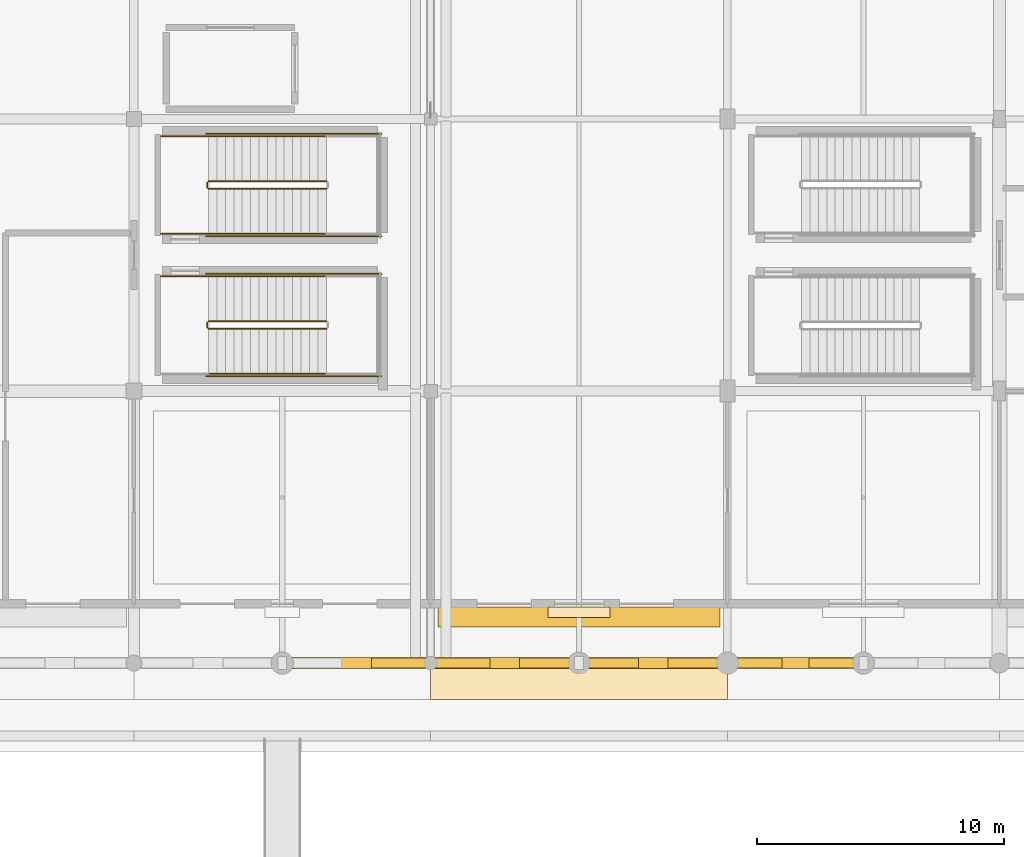
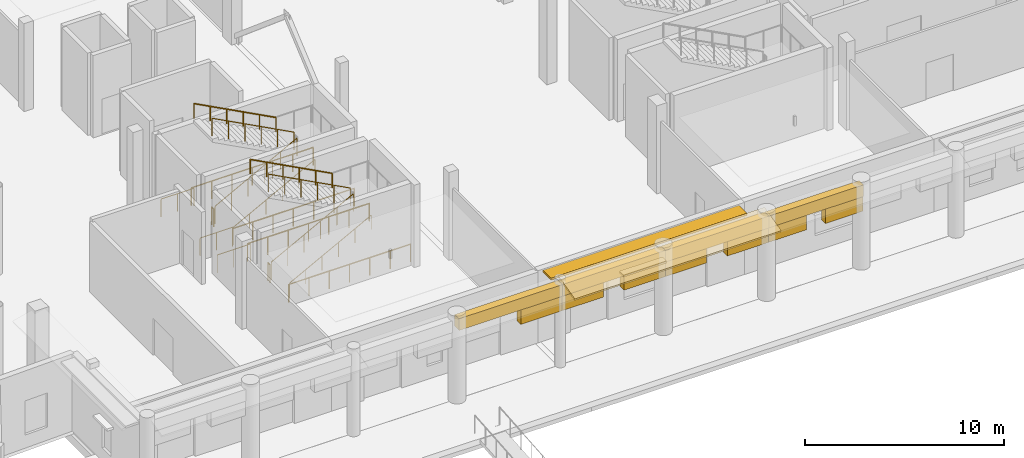
# One storey, part 109 of 120: 17 railings, 13 coverings, 1 shading device.
"""IFC4 building model written with IfcOpenShell, lengths in metres."""

from ifc_helpers import new_model, si_unit, direction, frame, origin, origin_2d, place, context, subcontext, project, spatial, polyline, rectangle, circle, outline, extrude, material, layer, layer_set, type_object, element, save


model = new_model("IFC4")

# Units and contexts
model_context = context("Model", 3, precision=1e-05, world=origin(), true_north=direction((0.0, 1.0)))
body_context = subcontext(model_context, "Body", "Model", "MODEL_VIEW")
ifc_project = project(units=[si_unit("LENGTHUNIT", "METRE"), si_unit("AREAUNIT", "SQUARE_METRE"), si_unit("VOLUMEUNIT", "CUBIC_METRE"), si_unit("PLANEANGLEUNIT", "RADIAN"), si_unit("MASSUNIT", "GRAM", prefix="KILO")], contexts=[model_context])

# Site, building, storey
site_placement = place(None, origin())
site = spatial("IfcSite", under=ifc_project, at=site_placement, CompositionType="ELEMENT")
building_placement = place(site_placement, origin())
building = spatial("IfcBuilding", under=site, at=building_placement, Name="Luwafu Chhajja Arena", CompositionType="ELEMENT")
storey_placement = place(building_placement, origin())
storey = spatial("IfcBuildingStorey", under=building, at=storey_placement, Name="L00", CompositionType="ELEMENT", Elevation=0.0)

# Coverings
ifc_material_1 = material(Name="Red laterite sandstone cladding", Category="masonry")
ifc_layer_1 = layer(ifc_material_1, 0.074951171875, Name="Red laterite sandstone cladding")
ifc_layer_set_1 = layer_set([ifc_layer_1], Name="Red laterite sandstone cladding")
covering_type = type_object("IfcCoveringType", Name="Dressed Red-Laterite Sandstone Cladding", PredefinedType="CLADDING", material=ifc_layer_set_1)
covering_1_placement = place(storey_placement, frame((161.0, 0.0, 4.33984375), z_axis=(0.0, 0.0, 1.0), x_axis=(1.0, 0.0, 0.0)))
element("IfcCovering", 1, at=covering_1_placement, inside=storey, type_object=covering_type, Name="L00 Mughal Riwaq Arcade Arch Frieze SLW-08", PredefinedType="CLADDING", context=body_context, shape_type="SweptSolid", body=[
    extrude(rectangle(XDim=6.0, YDim=0.43994140625, at=origin_2d()), origin(), (0.0, 0.0, 1.0), 0.719970703125),
])
covering_2_placement = place(storey_placement, frame((162.800048828125, 0.0, 3.43994140625), z_axis=(0.0, 0.0, 1.0), x_axis=(1.0, 0.0, 0.0)))
element("IfcCovering", 2, at=covering_2_placement, inside=storey, type_object=covering_type, Name="L00 Mughal Riwaq Corbelled Arch Haunch SLW-08B", PredefinedType="CLADDING", context=body_context, shape_type="SweptSolid", body=[
    extrude(rectangle(XDim=2.39990234375, YDim=0.39990234375, at=origin_2d()), origin(), (0.0, 0.0, 1.0), 0.9599609375),
])
covering_3_placement = place(storey_placement, frame((167.0, 0.0, 4.33984375), z_axis=(0.0, 0.0, 1.0), x_axis=(1.0, 0.0, 0.0)))
element("IfcCovering", 3, at=covering_3_placement, inside=storey, type_object=covering_type, Name="L00 Mughal Riwaq Arcade Arch Frieze SLW-09", PredefinedType="CLADDING", context=body_context, shape_type="SweptSolid", body=[
    extrude(rectangle(XDim=6.0, YDim=0.43994140625, at=origin_2d()), origin(), (0.0, 0.0, 1.0), 0.719970703125),
])
for number, where, z_axis, x_axis, name in (
    (4, (165.199951171875, 0.0, 3.43994140625), (0.0, 0.0, 1.0), (1.0, 0.0, 0.0), "L00 Mughal Riwaq Corbelled Arch Haunch SLW-09A"),
    (5, (168.800048828125, 0.0, 3.43994140625), (0.0, 0.0, 1.0), (1.0, 0.0, 0.0), "L00 Mughal Riwaq Corbelled Arch Haunch SLW-09B"),
):
    element("IfcCovering", number, at=place(storey_placement, frame(where, z_axis=z_axis, x_axis=x_axis)), inside=storey, type_object=covering_type, Name=name, PredefinedType="CLADDING", context=body_context, shape_type="SweptSolid", body=[
        extrude(rectangle(XDim=2.39990234375, YDim=0.39990234375, at=origin_2d()), origin(), (0.0, 0.0, 1.0), 0.9599609375),
    ])
covering_4_placement = place(storey_placement, frame((173.0, 0.0, 4.33984375), z_axis=(0.0, 0.0, 1.0), x_axis=(1.0, 0.0, 0.0)))
element("IfcCovering", 6, at=covering_4_placement, inside=storey, type_object=covering_type, Name="L00 Mughal Riwaq Arcade Arch Frieze SLW-10", PredefinedType="CLADDING", context=body_context, shape_type="SweptSolid", body=[
    extrude(rectangle(XDim=6.0, YDim=0.43994140625, at=origin_2d()), origin(), (0.0, 0.0, 1.0), 0.719970703125),
])
for number, where, z_axis, x_axis, name in (
    (7, (171.199951171875, 0.0, 3.43994140625), (0.0, 0.0, 1.0), (1.0, 0.0, 0.0), "L00 Mughal Riwaq Corbelled Arch Haunch SLW-10A"),
    (8, (174.800048828125, 0.0, 3.43994140625), (0.0, 0.0, 1.0), (1.0, 0.0, 0.0), "L00 Mughal Riwaq Corbelled Arch Haunch SLW-10B"),
):
    element("IfcCovering", number, at=place(storey_placement, frame(where, z_axis=z_axis, x_axis=x_axis)), inside=storey, type_object=covering_type, Name=name, PredefinedType="CLADDING", context=body_context, shape_type="SweptSolid", body=[
        extrude(rectangle(XDim=2.39990234375, YDim=0.39990234375, at=origin_2d()), origin(), (0.0, 0.0, 1.0), 0.9599609375),
    ])
covering_5_placement = place(storey_placement, frame((178.75, 0.0, 4.33984375), z_axis=(0.0, 0.0, 1.0), x_axis=(1.0, 0.0, 0.0)))
element("IfcCovering", 9, at=covering_5_placement, inside=storey, type_object=covering_type, Name="L00 Mughal Riwaq Arcade Arch Frieze SLW-11", PredefinedType="CLADDING", context=body_context, shape_type="SweptSolid", body=[
    extrude(rectangle(XDim=5.5, YDim=0.43994140625, at=origin_2d()), origin(), (0.0, 0.0, 1.0), 0.719970703125),
])
for number, where, z_axis, x_axis, name in (
    (10, (177.10009765625, 0.0, 3.43994140625), (0.0, 0.0, 1.0), (1.0, 0.0, 0.0), "L00 Mughal Riwaq Corbelled Arch Haunch SLW-11A"),
    (11, (180.39990234375, 0.0, 3.43994140625), (0.0, 0.0, 1.0), (1.0, 0.0, 0.0), "L00 Mughal Riwaq Corbelled Arch Haunch SLW-11B"),
):
    element("IfcCovering", number, at=place(storey_placement, frame(where, z_axis=z_axis, x_axis=x_axis)), inside=storey, type_object=covering_type, Name=name, PredefinedType="CLADDING", context=body_context, shape_type="SweptSolid", body=[
        extrude(rectangle(XDim=2.199951171875, YDim=0.39990234375, at=origin_2d()), origin(), (0.0, 0.0, 1.0), 0.9599609375),
    ])
covering_6_placement = place(storey_placement, frame((164.0, 0.199951171875, 5.360107421875), z_axis=(0.0, -0.242635142566, 0.970117615339), x_axis=(1.0, 0.0, 0.0)))
element("IfcCovering", 12, at=covering_6_placement, inside=storey, type_object=covering_type, Name="L00 Continuous Sloped Sandstone Chhajja Eave 0042", PredefinedType="CLADDING", context=body_context, shape_type="SweptSolid", body=[
    extrude(outline(polyline([(0.0, 0.0), (12.0, 0.0), (12.0, -1.7316783182390405), (0.0, -1.7316783182390405), (0.0, 0.0)])), origin(), (0.0, 0.0, -1.0), 0.1298828125),
])
covering_7_placement = place(storey_placement, frame((170.0, 2.06005859375, 2.580078125), z_axis=(0.0, 0.0, 1.0), x_axis=(1.0, 0.0, 0.0)))
element("IfcCovering", 13, at=covering_7_placement, inside=storey, type_object=covering_type, Name="L00 Mughal Sandstone Window Chhajja Hood 0168", PredefinedType="CLADDING", context=body_context, shape_type="SweptSolid", body=[
    extrude(rectangle(XDim=2.5, YDim=0.419921875, at=origin_2d()), origin(), (0.0, 0.0, 1.0), 0.139892578125),
])

# Shading device
ifc_material_2 = material(Name="Red laterite sandstone chhajja", Category="masonry")
ifc_layer_2 = layer(ifc_material_2, 0.1201171875, Name="Red laterite sandstone chhajja")
ifc_layer_set_2 = layer_set([ifc_layer_2], Name="Red laterite sandstone chhajja")
shading_device_type = type_object("IfcShadingDeviceType", Name="Sloped Red-Sandstone Chhajja Eave", PredefinedType="USERDEFINED", material=ifc_layer_set_2)
shading_device_placement = place(storey_placement, frame((170.0, 1.860107421875, 4.209716796875), z_axis=(0.0, 0.0, 1.0), x_axis=(1.0, 0.0, 0.0)))
element("IfcShadingDevice", 14, at=shading_device_placement, inside=storey, type_object=shading_device_type, Name="L00 Sloped Red-Sandstone Chhajja Eave 023", ObjectType="CHHAJJA", PredefinedType="USERDEFINED", context=body_context, shape_type="SweptSolid", body=[
    extrude(rectangle(XDim=11.39990234375, YDim=0.820068359375, at=origin_2d()), origin(), (0.0, 0.0, 1.0), 0.1201171875),
])

# Railings
ifc_material_3 = material(Name="Stainless steel handrail", Category="steel")
railing_type_1 = type_object("IfcRailingType", Name="Stair Pitch Wall Handrail 920", PredefinedType="HANDRAIL", material=ifc_material_3)
railing_1_placement = place(storey_placement, frame((155.02001953125, 11.699951171875, 0.179931640625)))
element("IfcRailing", 15, at=railing_1_placement, inside=storey, type_object=railing_type_1, Name="L00 ST-03 stair handrail 1", PredefinedType="HANDRAIL", context=body_context, shape_type="SweptSolid", body=[
    extrude(circle(Radius=0.02392578125, at=origin_2d()), frame((0.0, 0.0, 0.8759765625), z_axis=(0.883786813738, 0.0, 0.467889803119), x_axis=(0.0, 1.0, 0.0)), (0.0, 0.0, 1.0), 5.385986328125),
    extrude(circle(Radius=0.02099609375, at=origin_2d()), origin(), (0.0, 0.0, 1.0), 0.851806640625),
    extrude(circle(Radius=0.02099609375, at=origin_2d()), frame((0.951904296875, 0.0, 0.50390625)), (0.0, 0.0, 1.0), 0.851806640625),
    extrude(circle(Radius=0.02099609375, at=origin_2d()), frame((1.904052734375, 0.0, 1.008056640625)), (0.0, 0.0, 1.0), 0.851806640625),
    extrude(circle(Radius=0.02099609375, at=origin_2d()), frame((2.85595703125, 0.0, 1.511962890625)), (0.0, 0.0, 1.0), 0.851806640625),
    extrude(circle(Radius=0.02099609375, at=origin_2d()), frame((3.80810546875, 0.0, 2.01611328125)), (0.0, 0.0, 1.0), 0.851806640625),
    extrude(circle(Radius=0.02099609375, at=origin_2d()), frame((4.760009765625, 0.0, 2.52001953125)), (0.0, 0.0, 1.0), 0.851806640625),
])
railing_2_placement = place(storey_placement, frame((159.780029296875, 15.639892578125, 2.8798828125)))
element("IfcRailing", 16, at=railing_2_placement, inside=storey, type_object=railing_type_1, Name="L00 ST-03 stair handrail 2", PredefinedType="HANDRAIL", context=body_context, shape_type="SweptSolid", body=[
    extrude(circle(Radius=0.02392578125, at=origin_2d()), frame((0.0, 0.0, 0.8759765625), z_axis=(-0.883786813738, 0.0, 0.467889803119), x_axis=(0.0, -1.0, 0.0)), (0.0, 0.0, 1.0), 5.385986328125),
    extrude(circle(Radius=0.02099609375, at=origin_2d()), origin(), (0.0, 0.0, 1.0), 0.851806640625),
    extrude(circle(Radius=0.02099609375, at=origin_2d()), frame((-0.951904296875, 0.0, 0.50390625)), (0.0, 0.0, 1.0), 0.851806640625),
    extrude(circle(Radius=0.02099609375, at=origin_2d()), frame((-1.904052734375, 0.0, 1.008056640625)), (0.0, 0.0, 1.0), 0.851806640625),
    extrude(circle(Radius=0.02099609375, at=origin_2d()), frame((-2.85595703125, 0.0, 1.511962890625)), (0.0, 0.0, 1.0), 0.851806640625),
    extrude(circle(Radius=0.02099609375, at=origin_2d()), frame((-3.80810546875, 0.0, 2.01611328125)), (0.0, 0.0, 1.0), 0.851806640625),
    extrude(circle(Radius=0.02099609375, at=origin_2d()), frame((-4.760009765625, 0.0, 2.52001953125)), (0.0, 0.0, 1.0), 0.851806640625),
])
railing_3_placement = place(storey_placement, frame((155.02001953125, 17.360107421875, 0.179931640625)))
element("IfcRailing", 17, at=railing_3_placement, inside=storey, type_object=railing_type_1, Name="L00 ST-04 stair handrail 1", PredefinedType="HANDRAIL", context=body_context, shape_type="SweptSolid", body=[
    extrude(circle(Radius=0.02392578125, at=origin_2d()), frame((0.0, 0.0, 0.8759765625), z_axis=(0.883786813738, 0.0, 0.467889803119), x_axis=(0.0, 1.0, 0.0)), (0.0, 0.0, 1.0), 5.385986328125),
    extrude(circle(Radius=0.02099609375, at=origin_2d()), origin(), (0.0, 0.0, 1.0), 0.851806640625),
    extrude(circle(Radius=0.02099609375, at=origin_2d()), frame((0.951904296875, 0.0, 0.50390625)), (0.0, 0.0, 1.0), 0.851806640625),
    extrude(circle(Radius=0.02099609375, at=origin_2d()), frame((1.904052734375, 0.0, 1.008056640625)), (0.0, 0.0, 1.0), 0.851806640625),
    extrude(circle(Radius=0.02099609375, at=origin_2d()), frame((2.85595703125, 0.0, 1.511962890625)), (0.0, 0.0, 1.0), 0.851806640625),
    extrude(circle(Radius=0.02099609375, at=origin_2d()), frame((3.80810546875, 0.0, 2.01611328125)), (0.0, 0.0, 1.0), 0.851806640625),
    extrude(circle(Radius=0.02099609375, at=origin_2d()), frame((4.760009765625, 0.0, 2.52001953125)), (0.0, 0.0, 1.0), 0.851806640625),
])
railing_4_placement = place(storey_placement, frame((159.780029296875, 21.300048828125, 2.8798828125)))
element("IfcRailing", 18, at=railing_4_placement, inside=storey, type_object=railing_type_1, Name="L00 ST-04 stair handrail 2", PredefinedType="HANDRAIL", context=body_context, shape_type="SweptSolid", body=[
    extrude(circle(Radius=0.02392578125, at=origin_2d()), frame((0.0, 0.0, 0.8759765625), z_axis=(-0.883786813738, 0.0, 0.467889803119), x_axis=(0.0, -1.0, 0.0)), (0.0, 0.0, 1.0), 5.385986328125),
    extrude(circle(Radius=0.02099609375, at=origin_2d()), origin(), (0.0, 0.0, 1.0), 0.851806640625),
    extrude(circle(Radius=0.02099609375, at=origin_2d()), frame((-0.951904296875, 0.0, 0.50390625)), (0.0, 0.0, 1.0), 0.851806640625),
    extrude(circle(Radius=0.02099609375, at=origin_2d()), frame((-1.904052734375, 0.0, 1.008056640625)), (0.0, 0.0, 1.0), 0.851806640625),
    extrude(circle(Radius=0.02099609375, at=origin_2d()), frame((-2.85595703125, 0.0, 1.511962890625)), (0.0, 0.0, 1.0), 0.851806640625),
    extrude(circle(Radius=0.02099609375, at=origin_2d()), frame((-3.80810546875, 0.0, 2.01611328125)), (0.0, 0.0, 1.0), 0.851806640625),
    extrude(circle(Radius=0.02099609375, at=origin_2d()), frame((-4.760009765625, 0.0, 2.52001953125)), (0.0, 0.0, 1.0), 0.851806640625),
])
ifc_material_4 = material(Name="Stainless steel balustrade", Category="steel")
railing_type_2 = type_object("IfcRailingType", Name="Stair and Terrace Guard Balustrade 1100", PredefinedType="BALUSTRADE", material=ifc_material_4)
railing_5_placement = place(storey_placement, frame((155.02001953125, 13.52001953125, 0.179931640625)))
element("IfcRailing", 19, at=railing_5_placement, inside=storey, type_object=railing_type_2, Name="L00 ST-03 stair guard 1", PredefinedType="BALUSTRADE", context=body_context, shape_type="SweptSolid", body=[
    extrude(circle(Radius=0.02392578125, at=origin_2d()), frame((0.0, 0.0, 1.076171875), z_axis=(0.883786813738, 0.0, 0.467889803119), x_axis=(0.0, 1.0, 0.0)), (0.0, 0.0, 1.0), 5.385986328125),
    extrude(circle(Radius=0.02099609375, at=origin_2d()), origin(), (0.0, 0.0, 1.0), 1.052001953125),
    extrude(circle(Radius=0.02099609375, at=origin_2d()), frame((0.951904296875, 0.0, 0.50390625)), (0.0, 0.0, 1.0), 1.052001953125),
    extrude(circle(Radius=0.02099609375, at=origin_2d()), frame((1.904052734375, 0.0, 1.008056640625)), (0.0, 0.0, 1.0), 1.052001953125),
    extrude(circle(Radius=0.02099609375, at=origin_2d()), frame((2.85595703125, 0.0, 1.511962890625)), (0.0, 0.0, 1.0), 1.052001953125),
    extrude(circle(Radius=0.02099609375, at=origin_2d()), frame((3.80810546875, 0.0, 2.01611328125)), (0.0, 0.0, 1.0), 1.052001953125),
    extrude(circle(Radius=0.02099609375, at=origin_2d()), frame((4.760009765625, 0.0, 2.52001953125)), (0.0, 0.0, 1.0), 1.052001953125),
])
railing_6_placement = place(storey_placement, frame((159.780029296875, 13.820068359375, 2.8798828125)))
element("IfcRailing", 20, at=railing_6_placement, inside=storey, type_object=railing_type_2, Name="L00 ST-03 stair guard 6", PredefinedType="BALUSTRADE", context=body_context, shape_type="SweptSolid", body=[
    extrude(circle(Radius=0.02392578125, at=origin_2d()), frame((0.0, 0.0, 1.076171875), z_axis=(-0.883786813738, 0.0, 0.467889803119), x_axis=(0.0, -1.0, 0.0)), (0.0, 0.0, 1.0), 5.385986328125),
    extrude(circle(Radius=0.02099609375, at=origin_2d()), origin(), (0.0, 0.0, 1.0), 1.052001953125),
    extrude(circle(Radius=0.02099609375, at=origin_2d()), frame((-0.951904296875, 0.0, 0.50390625)), (0.0, 0.0, 1.0), 1.052001953125),
    extrude(circle(Radius=0.02099609375, at=origin_2d()), frame((-1.904052734375, 0.0, 1.008056640625)), (0.0, 0.0, 1.0), 1.052001953125),
    extrude(circle(Radius=0.02099609375, at=origin_2d()), frame((-2.85595703125, 0.0, 1.511962890625)), (0.0, 0.0, 1.0), 1.052001953125),
    extrude(circle(Radius=0.02099609375, at=origin_2d()), frame((-3.80810546875, 0.0, 2.01611328125)), (0.0, 0.0, 1.0), 1.052001953125),
    extrude(circle(Radius=0.02099609375, at=origin_2d()), frame((-4.760009765625, 0.0, 2.52001953125)), (0.0, 0.0, 1.0), 1.052001953125),
])
railing_7_placement = place(storey_placement, frame((154.969970703125, 13.570068359375, 0.0)))
element("IfcRailing", 21, at=railing_7_placement, inside=storey, type_object=railing_type_2, Name="L00 ST-03 stair guard 7", PredefinedType="BALUSTRADE", context=body_context, shape_type="SweptSolid", body=[
    extrude(circle(Radius=0.02392578125, at=origin_2d()), frame((0.0, 0.0, 1.076171875), z_axis=(0.0, 1.0, 0.0), x_axis=(-1.0, 0.0, 0.0)), (0.0, 0.0, 1.0), 0.199951171875),
    extrude(circle(Radius=0.02099609375, at=origin_2d()), origin(), (0.0, 0.0, 1.0), 1.052001953125),
    extrude(circle(Radius=0.02099609375, at=origin_2d()), frame((0.0, 0.199951171875, 0.0)), (0.0, 0.0, 1.0), 1.052001953125),
])
railing_8_placement = place(storey_placement, frame((153.10009765625, 15.639892578125, 0.0)))
element("IfcRailing", 22, at=railing_8_placement, inside=storey, type_object=railing_type_2, Name="L00 ST-03 stair guard 9", PredefinedType="BALUSTRADE", context=body_context, shape_type="SweptSolid", body=[
    extrude(circle(Radius=0.02392578125, at=origin_2d()), frame((0.0, 0.0, 1.076171875), z_axis=(1.0, 0.0, 0.0), x_axis=(0.0, 1.0, 0.0)), (0.0, 0.0, 1.0), 1.919921875),
    extrude(circle(Radius=0.02099609375, at=origin_2d()), origin(), (0.0, 0.0, 1.0), 1.052001953125),
    extrude(circle(Radius=0.02099609375, at=origin_2d()), frame((0.9599609375, 0.0, 0.0)), (0.0, 0.0, 1.0), 1.052001953125),
    extrude(circle(Radius=0.02099609375, at=origin_2d()), frame((1.919921875, 0.0, 0.0)), (0.0, 0.0, 1.0), 1.052001953125),
])
for number, where, name in (
    (23, (154.919921875, 11.60009765625, 0.0), "L00 ST-03 stair guard 10"),
    (24, (154.919921875, 15.739990234375, 0.0), "L00 ST-03 stair guard 11"),
):
    element("IfcRailing", number, at=place(storey_placement, frame(where)), inside=storey, type_object=railing_type_2, Name=name, PredefinedType="BALUSTRADE", context=body_context, shape_type="SweptSolid", body=[
        extrude(circle(Radius=0.02392578125, at=origin_2d()), frame((0.0, 0.0, 1.076171875), z_axis=(1.0, 0.0, 0.0), x_axis=(0.0, 1.0, 0.0)), (0.0, 0.0, 1.0), 7.080078125),
        extrude(circle(Radius=0.02099609375, at=origin_2d()), origin(), (0.0, 0.0, 1.0), 1.052001953125),
        extrude(circle(Radius=0.02099609375, at=origin_2d()), frame((1.179931640625, 0.0, 0.0)), (0.0, 0.0, 1.0), 1.052001953125),
        extrude(circle(Radius=0.02099609375, at=origin_2d()), frame((2.360107421875, 0.0, 0.0)), (0.0, 0.0, 1.0), 1.052001953125),
        extrude(circle(Radius=0.02099609375, at=origin_2d()), frame((3.5400390625, 0.0, 0.0)), (0.0, 0.0, 1.0), 1.052001953125),
        extrude(circle(Radius=0.02099609375, at=origin_2d()), frame((4.719970703125, 0.0, 0.0)), (0.0, 0.0, 1.0), 1.052001953125),
        extrude(circle(Radius=0.02099609375, at=origin_2d()), frame((5.900146484375, 0.0, 0.0)), (0.0, 0.0, 1.0), 1.052001953125),
        extrude(circle(Radius=0.02099609375, at=origin_2d()), frame((7.080078125, 0.0, 0.0)), (0.0, 0.0, 1.0), 1.052001953125),
    ])
railing_9_placement = place(storey_placement, frame((155.02001953125, 19.179931640625, 0.179931640625)))
element("IfcRailing", 25, at=railing_9_placement, inside=storey, type_object=railing_type_2, Name="L00 ST-04 stair guard 1", PredefinedType="BALUSTRADE", context=body_context, shape_type="SweptSolid", body=[
    extrude(circle(Radius=0.02392578125, at=origin_2d()), frame((0.0, 0.0, 1.076171875), z_axis=(0.883786813738, 0.0, 0.467889803119), x_axis=(0.0, 1.0, 0.0)), (0.0, 0.0, 1.0), 5.385986328125),
    extrude(circle(Radius=0.02099609375, at=origin_2d()), origin(), (0.0, 0.0, 1.0), 1.052001953125),
    extrude(circle(Radius=0.02099609375, at=origin_2d()), frame((0.951904296875, 0.0, 0.50390625)), (0.0, 0.0, 1.0), 1.052001953125),
    extrude(circle(Radius=0.02099609375, at=origin_2d()), frame((1.904052734375, 0.0, 1.008056640625)), (0.0, 0.0, 1.0), 1.052001953125),
    extrude(circle(Radius=0.02099609375, at=origin_2d()), frame((2.85595703125, 0.0, 1.511962890625)), (0.0, 0.0, 1.0), 1.052001953125),
    extrude(circle(Radius=0.02099609375, at=origin_2d()), frame((3.80810546875, 0.0, 2.01611328125)), (0.0, 0.0, 1.0), 1.052001953125),
    extrude(circle(Radius=0.02099609375, at=origin_2d()), frame((4.760009765625, 0.0, 2.52001953125)), (0.0, 0.0, 1.0), 1.052001953125),
])
railing_10_placement = place(storey_placement, frame((159.780029296875, 19.47998046875, 2.8798828125)))
element("IfcRailing", 26, at=railing_10_placement, inside=storey, type_object=railing_type_2, Name="L00 ST-04 stair guard 6", PredefinedType="BALUSTRADE", context=body_context, shape_type="SweptSolid", body=[
    extrude(circle(Radius=0.02392578125, at=origin_2d()), frame((0.0, 0.0, 1.076171875), z_axis=(-0.883786813738, 0.0, 0.467889803119), x_axis=(0.0, -1.0, 0.0)), (0.0, 0.0, 1.0), 5.385986328125),
    extrude(circle(Radius=0.02099609375, at=origin_2d()), origin(), (0.0, 0.0, 1.0), 1.052001953125),
    extrude(circle(Radius=0.02099609375, at=origin_2d()), frame((-0.951904296875, 0.0, 0.50390625)), (0.0, 0.0, 1.0), 1.052001953125),
    extrude(circle(Radius=0.02099609375, at=origin_2d()), frame((-1.904052734375, 0.0, 1.008056640625)), (0.0, 0.0, 1.0), 1.052001953125),
    extrude(circle(Radius=0.02099609375, at=origin_2d()), frame((-2.85595703125, 0.0, 1.511962890625)), (0.0, 0.0, 1.0), 1.052001953125),
    extrude(circle(Radius=0.02099609375, at=origin_2d()), frame((-3.80810546875, 0.0, 2.01611328125)), (0.0, 0.0, 1.0), 1.052001953125),
    extrude(circle(Radius=0.02099609375, at=origin_2d()), frame((-4.760009765625, 0.0, 2.52001953125)), (0.0, 0.0, 1.0), 1.052001953125),
])
railing_11_placement = place(storey_placement, frame((154.969970703125, 19.22998046875, 0.0)))
element("IfcRailing", 27, at=railing_11_placement, inside=storey, type_object=railing_type_2, Name="L00 ST-04 stair guard 7", PredefinedType="BALUSTRADE", context=body_context, shape_type="SweptSolid", body=[
    extrude(circle(Radius=0.02392578125, at=origin_2d()), frame((0.0, 0.0, 1.076171875), z_axis=(0.0, 1.0, 0.0), x_axis=(-1.0, 0.0, 0.0)), (0.0, 0.0, 1.0), 0.199951171875),
    extrude(circle(Radius=0.02099609375, at=origin_2d()), origin(), (0.0, 0.0, 1.0), 1.052001953125),
    extrude(circle(Radius=0.02099609375, at=origin_2d()), frame((0.0, 0.199951171875, 0.0)), (0.0, 0.0, 1.0), 1.052001953125),
])
for number, where, name in (
    (28, (153.10009765625, 17.360107421875, 0.0), "L00 ST-04 stair guard 8"),
    (29, (153.10009765625, 21.300048828125, 0.0), "L00 ST-04 stair guard 9"),
):
    element("IfcRailing", number, at=place(storey_placement, frame(where)), inside=storey, type_object=railing_type_2, Name=name, PredefinedType="BALUSTRADE", context=body_context, shape_type="SweptSolid", body=[
        extrude(circle(Radius=0.02392578125, at=origin_2d()), frame((0.0, 0.0, 1.076171875), z_axis=(1.0, 0.0, 0.0), x_axis=(0.0, 1.0, 0.0)), (0.0, 0.0, 1.0), 1.919921875),
        extrude(circle(Radius=0.02099609375, at=origin_2d()), origin(), (0.0, 0.0, 1.0), 1.052001953125),
        extrude(circle(Radius=0.02099609375, at=origin_2d()), frame((0.9599609375, 0.0, 0.0)), (0.0, 0.0, 1.0), 1.052001953125),
        extrude(circle(Radius=0.02099609375, at=origin_2d()), frame((1.919921875, 0.0, 0.0)), (0.0, 0.0, 1.0), 1.052001953125),
    ])
for number, where, name in (
    (30, (154.919921875, 17.260009765625, 0.0), "L00 ST-04 stair guard 10"),
    (31, (154.919921875, 21.39990234375, 0.0), "L00 ST-04 stair guard 11"),
):
    element("IfcRailing", number, at=place(storey_placement, frame(where)), inside=storey, type_object=railing_type_2, Name=name, PredefinedType="BALUSTRADE", context=body_context, shape_type="SweptSolid", body=[
        extrude(circle(Radius=0.02392578125, at=origin_2d()), frame((0.0, 0.0, 1.076171875), z_axis=(1.0, 0.0, 0.0), x_axis=(0.0, 1.0, 0.0)), (0.0, 0.0, 1.0), 7.080078125),
        extrude(circle(Radius=0.02099609375, at=origin_2d()), origin(), (0.0, 0.0, 1.0), 1.052001953125),
        extrude(circle(Radius=0.02099609375, at=origin_2d()), frame((1.179931640625, 0.0, 0.0)), (0.0, 0.0, 1.0), 1.052001953125),
        extrude(circle(Radius=0.02099609375, at=origin_2d()), frame((2.360107421875, 0.0, 0.0)), (0.0, 0.0, 1.0), 1.052001953125),
        extrude(circle(Radius=0.02099609375, at=origin_2d()), frame((3.5400390625, 0.0, 0.0)), (0.0, 0.0, 1.0), 1.052001953125),
        extrude(circle(Radius=0.02099609375, at=origin_2d()), frame((4.719970703125, 0.0, 0.0)), (0.0, 0.0, 1.0), 1.052001953125),
        extrude(circle(Radius=0.02099609375, at=origin_2d()), frame((5.900146484375, 0.0, 0.0)), (0.0, 0.0, 1.0), 1.052001953125),
        extrude(circle(Radius=0.02099609375, at=origin_2d()), frame((7.080078125, 0.0, 0.0)), (0.0, 0.0, 1.0), 1.052001953125),
    ])

save(model, "model.ifc")
